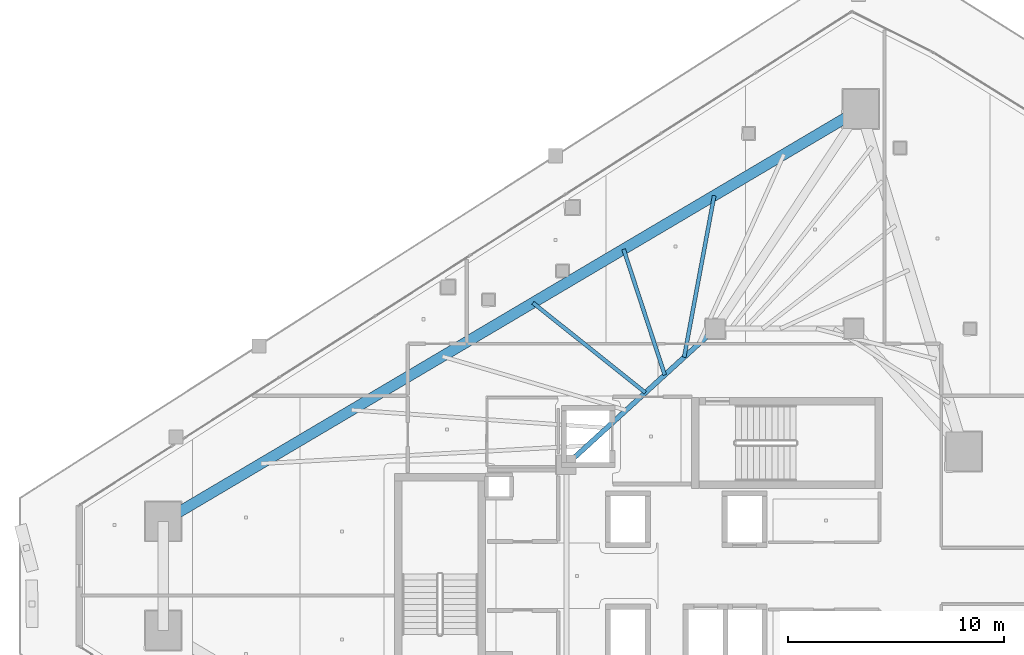
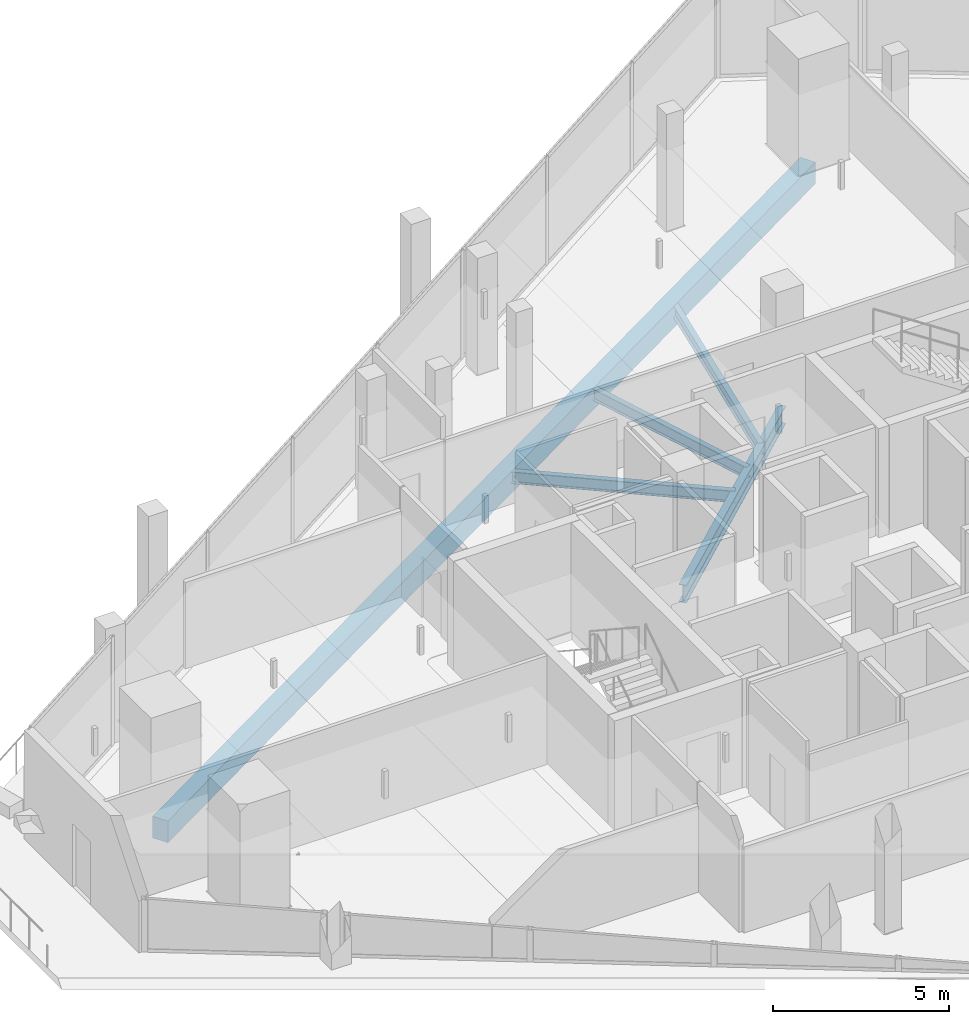
# One storey, part 15 of 30: 5 beams.
"""IFC4 building model written with IfcOpenShell, lengths in metres."""

from ifc_helpers import new_model, si_unit, direction, frame, origin, origin_2d, place, context, subcontext, project, spatial, rectangle, i_section, extrude, material, material_profile, profile_set, type_object, element, save


model = new_model("IFC4")

# Units and contexts
model_context = context("Model", 3, precision=1e-05, world=origin(), true_north=direction((0.0, 1.0)))
body_context = subcontext(model_context, "Body", "Model", "MODEL_VIEW")
ifc_project = project(units=[si_unit("LENGTHUNIT", "METRE"), si_unit("AREAUNIT", "SQUARE_METRE"), si_unit("VOLUMEUNIT", "CUBIC_METRE"), si_unit("PLANEANGLEUNIT", "RADIAN"), si_unit("MASSUNIT", "GRAM", prefix="KILO")], contexts=[model_context])

# Site, building, storey
site_placement = place(None, origin())
site = spatial("IfcSite", under=ifc_project, at=site_placement, CompositionType="ELEMENT")
building_placement = place(site_placement, origin())
building = spatial("IfcBuilding", under=site, at=building_placement, Name="Qorvath Tower", CompositionType="ELEMENT")
storey_placement = place(building_placement, frame((0.0, 0.0, 217.199951171875)))
storey = spatial("IfcBuildingStorey", under=building, at=storey_placement, Name="L50", CompositionType="ELEMENT", Elevation=217.199951171875)

# Beams
ifc_material_1 = material(Name="Steel ASTM A992 Grade 50", Category="steel")
ifc_material_profile_1 = material_profile(ifc_material_1, i_section(OverallWidth=0.22998046875, OverallDepth=0.616943359375, WebThickness=0.01318359375, FlangeThickness=0.022216796875, FilletRadius=0.014892578125, at=origin_2d()), Name="W24x94")
ifc_profile_set_1 = profile_set([ifc_material_profile_1], Name="Steel ASTM A992 Grade 50")
beam_type_1 = type_object("IfcBeamType", Name="BM-FG6", PredefinedType="BEAM", material=ifc_profile_set_1)
beam_1_placement = place(storey_placement, frame((-30.5, 5.14990234375, -0.57861328125), z_axis=(0.73847813985, 0.6742774184, 0.0), x_axis=(-0.6742774184, 0.73847813985, 0.0)))
element("IfcBeam", 1, at=beam_1_placement, inside=storey, type_object=beam_type_1, Name="Core Ring Girder CC5-CC1 L50", PredefinedType="BEAM", context=body_context, shape_type="SweptSolid", body=[
    extrude(i_section(OverallWidth=0.22998046875, OverallDepth=0.616943359375, WebThickness=0.01318359375, FlangeThickness=0.022216796875, FilletRadius=0.014892578125, at=origin_2d()), origin(), (0.0, 0.0, 1.0), 9.343505859375),
])
ifc_material_2 = material(Name="Steel ASTM A992 Grade 50", Category="steel")
ifc_material_profile_2 = material_profile(ifc_material_2, i_section(OverallWidth=0.177978515625, OverallDepth=0.406005859375, WebThickness=0.0078125, FlangeThickness=0.0126953125, FilletRadius=0.010986328125, at=origin_2d()), Name="W16x40")
ifc_profile_set_2 = profile_set([ifc_material_profile_2], Name="Steel ASTM A992 Grade 50")
beam_type_2 = type_object("IfcBeamType", Name="BM-FJ3", PredefinedType="JOIST", material=ifc_profile_set_2)
beam_2_placement = place(storey_placement, frame((-26.843017578125, 8.489013671875, -0.47314453125), z_axis=(-0.781336553339, 0.624109918537, 0.0), x_axis=(-0.624109918537, -0.781336553339, 0.0)))
element("IfcBeam", 2, at=beam_2_placement, inside=storey, type_object=beam_type_2, Name="Composite Floor Joist NW4 L50", PredefinedType="JOIST", context=body_context, shape_type="SweptSolid", body=[
    extrude(i_section(OverallWidth=0.177978515625, OverallDepth=0.406005859375, WebThickness=0.0078125, FlangeThickness=0.0126953125, FilletRadius=0.010986328125, at=origin_2d()), origin(), (0.0, 0.0, 1.0), 6.667724609375),
])
beam_3_placement = place(storey_placement, frame((-25.946044921875, 9.30810546875, -0.47314453125), z_axis=(-0.311228747452, 0.950335028692, 0.0), x_axis=(-0.950335028692, -0.311228747452, 0.0)))
element("IfcBeam", 3, at=beam_3_placement, inside=storey, type_object=beam_type_2, Name="Composite Floor Joist NW5 L50", PredefinedType="JOIST", context=body_context, shape_type="SweptSolid", body=[
    extrude(i_section(OverallWidth=0.177978515625, OverallDepth=0.406005859375, WebThickness=0.0078125, FlangeThickness=0.0126953125, FilletRadius=0.010986328125, at=origin_2d()), origin(), (0.0, 0.0, 1.0), 6.129638671875),
])
beam_4_placement = place(storey_placement, frame((-25.049072265625, 10.126953125, -0.47314453125), z_axis=(0.183026775988, 0.983107928598, 0.0), x_axis=(-0.983107928598, 0.183026775988, 0.0)))
element("IfcBeam", 4, at=beam_4_placement, inside=storey, type_object=beam_type_2, Name="Composite Floor Joist NW6 L50", PredefinedType="JOIST", context=body_context, shape_type="SweptSolid", body=[
    extrude(i_section(OverallWidth=0.177978515625, OverallDepth=0.406005859375, WebThickness=0.0078125, FlangeThickness=0.0126953125, FilletRadius=0.010986328125, at=origin_2d()), origin(), (0.0, 0.0, 1.0), 7.617919921875),
])
ifc_material_3 = material(Name="Concrete C45/55", Category="concrete")
ifc_material_profile_3 = material_profile(ifc_material_3, rectangle(XDim=0.5, YDim=0.75, at=origin_2d()), Name="RCB 750x500")
ifc_profile_set_3 = profile_set([ifc_material_profile_3], Name="Concrete C45/55")
beam_type_3 = type_object("IfcBeamType", Name="BM-RCB3", PredefinedType="SPANDREL", material=ifc_profile_set_3)
beam_5_placement = place(storey_placement, frame((-16.87158203125, 21.627197265625, -0.64501953125), z_axis=(-0.860776759786, -0.50898268125, 0.0), x_axis=(0.50898268125, -0.860776759786, 0.0)))
element("IfcBeam", 5, at=beam_5_placement, inside=storey, type_object=beam_type_3, Name="Perimeter Loggia Frame Beam MC6-MC1 L50", PredefinedType="SPANDREL", context=body_context, shape_type="SweptSolid", body=[
    extrude(rectangle(XDim=0.5, YDim=0.75, at=origin_2d()), origin(), (0.0, 0.0, 1.0), 37.524658203125),
])

save(model, "model.ifc")
